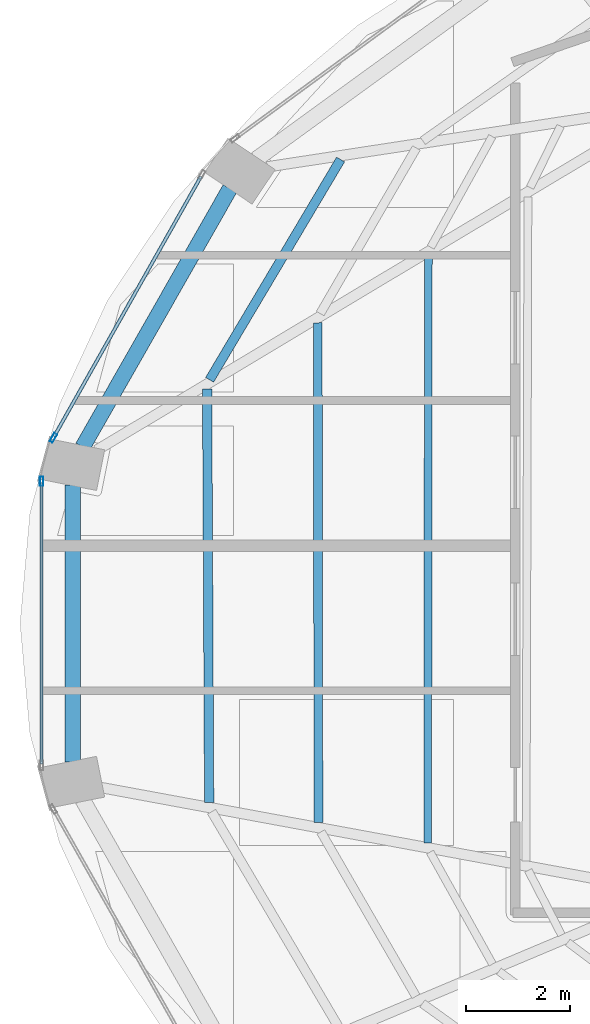
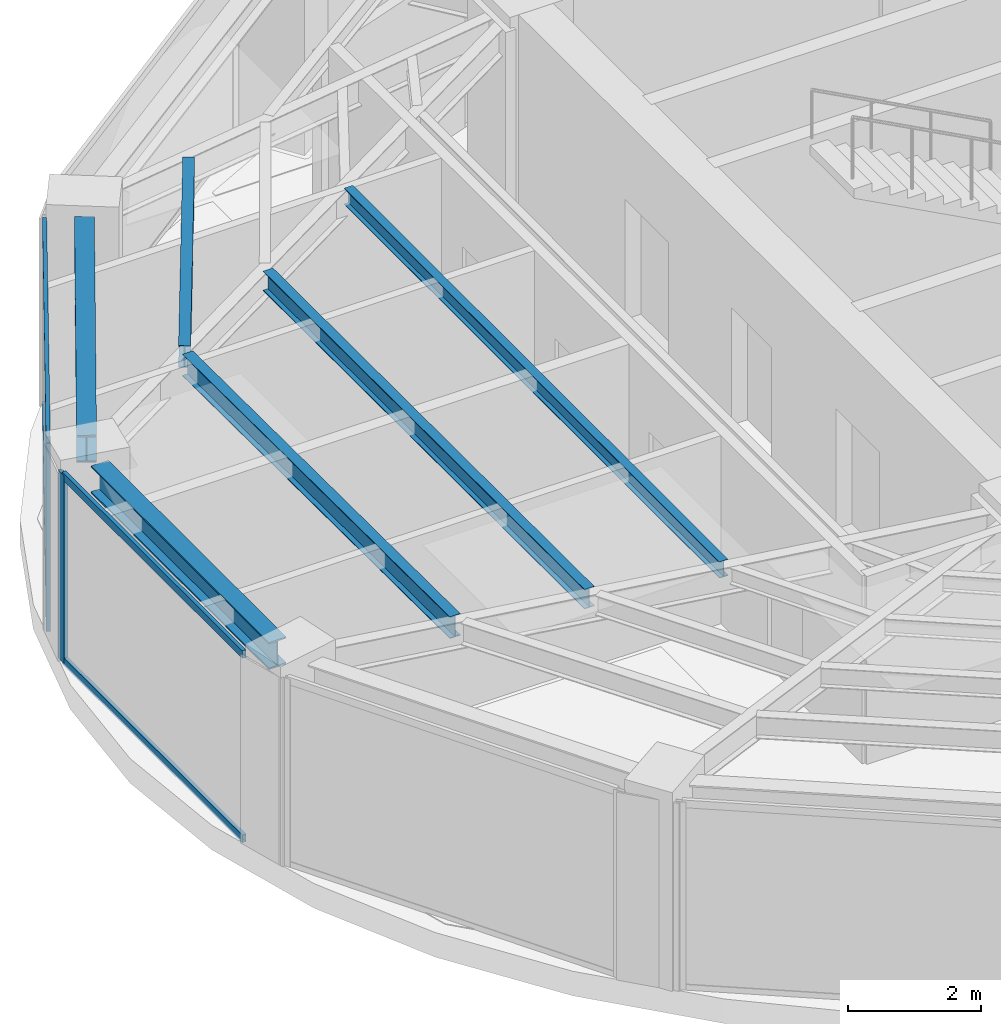
# One storey, part 8 of 23: 6 beams, 6 members, 2 elements without a shape of their own.
"""IFC4 building model written with IfcOpenShell, lengths in metres."""

from ifc_helpers import new_model, si_unit, direction, frame, origin, origin_2d, place, context, subcontext, project, spatial, hollow_rectangle, i_section, extrude, material, layer, layer_set, material_profile, profile_set, type_object, element, aggregate, save


model = new_model("IFC4")

# Units and contexts
model_context = context("Model", 3, precision=1e-05, world=origin(), true_north=direction((0.0, 1.0)))
body_context = subcontext(model_context, "Body", "Model", "MODEL_VIEW")
ifc_project = project(units=[si_unit("LENGTHUNIT", "METRE"), si_unit("AREAUNIT", "SQUARE_METRE"), si_unit("VOLUMEUNIT", "CUBIC_METRE"), si_unit("PLANEANGLEUNIT", "RADIAN"), si_unit("MASSUNIT", "GRAM", prefix="KILO")], contexts=[model_context])

# Site, building, storey
site_placement = place(None, origin())
site = spatial("IfcSite", under=ifc_project, at=site_placement, CompositionType="ELEMENT")
building_placement = place(site_placement, origin())
building = spatial("IfcBuilding", under=site, at=building_placement, Name="Lazwardi Medical Tower", CompositionType="ELEMENT")
storey_placement = place(building_placement, frame((0.0, 0.0, 194.83203125)))
storey = spatial("IfcBuildingStorey", under=building, at=storey_placement, Name="L50", CompositionType="ELEMENT", Elevation=194.83203125)

# Beams
ifc_material_1 = material(Name="Steel S355", Category="steel")
ifc_material_profile_1 = material_profile(ifc_material_1, i_section(OverallWidth=0.300048828125, OverallDepth=0.5, WebThickness=0.014404296875, FlangeThickness=0.028076171875, at=origin_2d()), Name="HEB 500")
ifc_profile_set_1 = profile_set([ifc_material_profile_1], Name="Steel S355")
beam_type_1 = type_object("IfcBeamType", Name="BM-RB-Z4", PredefinedType="BEAM", material=ifc_profile_set_1)
beam_1_placement = place(storey_placement, frame((17.84716796875, 33.983642578125, 3.197998046875), z_axis=(-0.495125273299, -0.868821594886, 0.0), x_axis=(0.868821594886, -0.495125273299, 0.0)))
element("IfcBeam", 1, at=beam_1_placement, inside=storey, type_object=beam_type_1, Name="Ring beam RB-05 B11 L50", PredefinedType="BEAM", context=body_context, shape_type="SweptSolid", body=[
    extrude(i_section(OverallWidth=0.300048828125, OverallDepth=0.5, WebThickness=0.014404296875, FlangeThickness=0.028076171875, at=origin_2d()), origin(), (0.0, 0.0, 1.0), 5.734130859375),
])
beam_2_placement = place(storey_placement, frame((14.81494140625, 28.27294921875, 3.197998046875), z_axis=(0.0, -1.0, 0.0), x_axis=(1.0, 0.0, 0.0)))
element("IfcBeam", 2, at=beam_2_placement, inside=storey, type_object=beam_type_1, Name="Ring beam RB-05 B12 L50", PredefinedType="BEAM", context=body_context, shape_type="SweptSolid", body=[
    extrude(i_section(OverallWidth=0.300048828125, OverallDepth=0.5, WebThickness=0.014404296875, FlangeThickness=0.028076171875, at=origin_2d()), origin(), (0.0, 0.0, 1.0), 5.345947265625),
])
ifc_material_profile_2 = material_profile(ifc_material_1, i_section(OverallWidth=0.179931640625, OverallDepth=0.39990234375, WebThickness=0.008544921875, FlangeThickness=0.013427734375, at=origin_2d()), Name="IPE 400")
ifc_profile_set_2 = profile_set([ifc_material_profile_2], Name="Steel S355")
beam_type_2 = type_object("IfcBeamType", Name="BM-SJ-01", PredefinedType="JOIST", material=ifc_profile_set_2)
beam_3_placement = place(storey_placement, frame((19.98095703125, 34.544921875, 3.248046875), z_axis=(-0.510967866251, -0.859599813668, 0.0), x_axis=(0.859599813668, -0.510967866251, 0.0)))
element("IfcBeam", 3, at=beam_3_placement, inside=storey, type_object=beam_type_2, Name="Secondary joist SJ-01 R1 B11 L50", PredefinedType="JOIST", context=body_context, shape_type="SweptSolid", body=[
    extrude(i_section(OverallWidth=0.179931640625, OverallDepth=0.39990234375, WebThickness=0.008544921875, FlangeThickness=0.013427734375, at=origin_2d()), origin(), (0.0, 0.0, 1.0), 4.94189453125),
])
beam_4_placement = place(storey_placement, frame((17.407958984375, 30.120361328125, 3.248046875), z_axis=(0.004929366644, -0.999987850598, 0.0), x_axis=(0.999987850598, 0.004929366644, 0.0)))
element("IfcBeam", 4, at=beam_4_placement, inside=storey, type_object=beam_type_2, Name="Secondary joist SJ-01 R1 B12 L50", PredefinedType="JOIST", context=body_context, shape_type="SweptSolid", body=[
    extrude(i_section(OverallWidth=0.179931640625, OverallDepth=0.39990234375, WebThickness=0.008544921875, FlangeThickness=0.013427734375, at=origin_2d()), origin(), (0.0, 0.0, 1.0), 7.973876953125),
])
ifc_material_profile_3 = material_profile(ifc_material_1, i_section(OverallWidth=0.169921875, OverallDepth=0.360107421875, WebThickness=0.008056640625, FlangeThickness=0.0126953125, at=origin_2d()), Name="IPE 360")
ifc_profile_set_3 = profile_set([ifc_material_profile_3], Name="Steel S355")
beam_type_3 = type_object("IfcBeamType", Name="BM-SJ-02", PredefinedType="JOIST", material=ifc_profile_set_3)
beam_5_placement = place(storey_placement, frame((19.541015625, 31.397705078125, 3.26806640625), z_axis=(0.001367606673, -0.999999064826, 0.0), x_axis=(0.999999064826, 0.001367606673, 0.0)))
element("IfcBeam", 5, at=beam_5_placement, inside=storey, type_object=beam_type_3, Name="Secondary joist SJ-02 R2 B12 L50", PredefinedType="JOIST", context=body_context, shape_type="SweptSolid", body=[
    extrude(i_section(OverallWidth=0.169921875, OverallDepth=0.360107421875, WebThickness=0.008056640625, FlangeThickness=0.0126953125, at=origin_2d()), origin(), (0.0, 0.0, 1.0), 9.639892578125),
])
ifc_material_profile_4 = material_profile(ifc_material_1, i_section(OverallWidth=0.14990234375, OverallDepth=0.300048828125, WebThickness=0.007080078125, FlangeThickness=0.0107421875, at=origin_2d()), Name="IPE 300")
ifc_profile_set_4 = profile_set([ifc_material_profile_4], Name="Steel S355")
beam_type_4 = type_object("IfcBeamType", Name="BM-SJ-03", PredefinedType="JOIST", material=ifc_profile_set_4)
beam_6_placement = place(storey_placement, frame((21.674072265625, 32.67529296875, 3.2978515625), z_axis=(-0.001166079235, -0.999999320129, 0.0), x_axis=(0.999999320129, -0.001166079235, 0.0)))
element("IfcBeam", 6, at=beam_6_placement, inside=storey, type_object=beam_type_4, Name="Secondary joist SJ-03 R3 B12 L50", PredefinedType="JOIST", context=body_context, shape_type="SweptSolid", body=[
    extrude(i_section(OverallWidth=0.14990234375, OverallDepth=0.300048828125, WebThickness=0.007080078125, FlangeThickness=0.0107421875, at=origin_2d()), origin(), (0.0, 0.0, 1.0), 11.305908203125),
])

# Curtain wall, member
ifc_material_2 = material(Name="Anodised bronze aluminium and solar control glazing", Category="aluminium")
ifc_layer = layer(ifc_material_2, 0.18994140625)
ifc_layer_set = layer_set([ifc_layer], Name="Anodised bronze aluminium and solar control glazing")
curtain_wall_type = type_object("IfcCurtainWallType", Name="CW-SYS-04", PredefinedType="NOTDEFINED", material=ifc_layer_set)
curtain_wall_1_placement = place(storey_placement, origin())
curtain_wall_1 = element("IfcCurtainWall", 7, at=curtain_wall_1_placement, inside=storey, type_object=curtain_wall_type, Name="L50 Unitised bronze curtain wall CW-04", PredefinedType="NOTDEFINED")
ifc_material_3 = material(Name="Anodised bronze aluminium", Category="aluminium")
ifc_material_profile_5 = material_profile(ifc_material_3, hollow_rectangle(XDim=0.06494140625, YDim=0.179931640625, WallThickness=0.00390625, at=origin_2d()), Name="ALU-MULLION 180x65x4")
ifc_profile_set_5 = profile_set([ifc_material_profile_5], Name="Anodised bronze aluminium")
member_type_1 = type_object("IfcMemberType", Name="CW-MUL-03", PredefinedType="MULLION", material=ifc_profile_set_5)
member_1_placement = place(storey_placement, frame((14.442626953125, 29.17822265625, 0.0), z_axis=(0.0, 0.0, 1.0), x_axis=(0.870651436011, -0.491900474661, 0.0)))
member_1 = element("IfcMember", 8, at=member_1_placement, type_object=member_type_1, Name="CW-04 mullion 2", PredefinedType="MULLION", context=body_context, shape_type="SweptSolid", body=[
    extrude(hollow_rectangle(XDim=0.06494140625, YDim=0.179931640625, WallThickness=0.00390625, at=origin_2d()), origin(), (0.0, 0.0, 1.0), 3.447998046875),
])

curtain_wall_2_placement = place(storey_placement, origin())
curtain_wall_2 = element("IfcCurtainWall", 9, at=curtain_wall_2_placement, inside=storey, type_object=curtain_wall_type, Name="L50 Unitised bronze curtain wall CW-04", PredefinedType="NOTDEFINED")
member_2_placement = place(storey_placement, frame((14.2158203125, 28.340576171875, 0.0), z_axis=(0.0, 0.0, 1.0), x_axis=(1.0, 0.0, 0.0)))
member_2 = element("IfcMember", 10, at=member_2_placement, type_object=member_type_1, Name="CW-04 mullion 1", PredefinedType="MULLION", context=body_context, shape_type="SweptSolid", body=[
    extrude(hollow_rectangle(XDim=0.06494140625, YDim=0.179931640625, WallThickness=0.00390625, at=origin_2d()), origin(), (0.0, 0.0, 1.0), 3.447998046875),
])

# Member
ifc_material_profile_6 = material_profile(ifc_material_3, hollow_rectangle(XDim=0.06494140625, YDim=0.139892578125, WallThickness=0.00341796875, at=origin_2d()), Name="ALU-TRANSOM 140x65x3.5")
ifc_profile_set_6 = profile_set([ifc_material_profile_6], Name="Anodised bronze aluminium")
member_type_2 = type_object("IfcMemberType", Name="CW-TRN-03", PredefinedType="USERDEFINED", material=ifc_profile_set_6)
member_3_placement = place(storey_placement, frame((17.28955078125, 34.21728515625, 0.032470703125), z_axis=(-0.491879719484, -0.87066316194, 0.0), x_axis=(0.87066316194, -0.491879719484, 0.0)))
member_3 = element("IfcMember", 11, at=member_3_placement, type_object=member_type_2, Name="CW-04 transom 1.1", ObjectType="TRANSOM", PredefinedType="USERDEFINED", context=body_context, shape_type="SweptSolid", body=[
    extrude(hollow_rectangle(XDim=0.06494140625, YDim=0.139892578125, WallThickness=0.00341796875, at=origin_2d()), origin(), (0.0, 0.0, 1.0), 5.755126953125),
])

member_4_placement = place(storey_placement, frame((17.28955078125, 34.21728515625, 3.41552734375), z_axis=(-0.491879719484, -0.87066316194, 0.0), x_axis=(0.87066316194, -0.491879719484, 0.0)))
member_4 = element("IfcMember", 12, at=member_4_placement, type_object=member_type_2, Name="CW-04 transom 1.2", ObjectType="TRANSOM", PredefinedType="USERDEFINED", context=body_context, shape_type="SweptSolid", body=[
    extrude(hollow_rectangle(XDim=0.06494140625, YDim=0.139892578125, WallThickness=0.00341796875, at=origin_2d()), origin(), (0.0, 0.0, 1.0), 5.755126953125),
])

aggregate(curtain_wall_1, [member_1, member_3, member_4])

member_5_placement = place(storey_placement, frame((14.2158203125, 28.30810546875, 0.032470703125), z_axis=(0.0, -1.0, 0.0), x_axis=(1.0, 0.0, 0.0)))
member_5 = element("IfcMember", 13, at=member_5_placement, type_object=member_type_2, Name="CW-04 transom 1.1", ObjectType="TRANSOM", PredefinedType="USERDEFINED", context=body_context, shape_type="SweptSolid", body=[
    extrude(hollow_rectangle(XDim=0.06494140625, YDim=0.139892578125, WallThickness=0.00341796875, at=origin_2d()), origin(), (0.0, 0.0, 1.0), 5.416015625),
])

member_6_placement = place(storey_placement, frame((14.2158203125, 28.30810546875, 3.41552734375), z_axis=(0.0, -1.0, 0.0), x_axis=(1.0, 0.0, 0.0)))
member_6 = element("IfcMember", 14, at=member_6_placement, type_object=member_type_2, Name="CW-04 transom 1.2", ObjectType="TRANSOM", PredefinedType="USERDEFINED", context=body_context, shape_type="SweptSolid", body=[
    extrude(hollow_rectangle(XDim=0.06494140625, YDim=0.139892578125, WallThickness=0.00341796875, at=origin_2d()), origin(), (0.0, 0.0, 1.0), 5.416015625),
])

aggregate(curtain_wall_2, [member_2, member_5, member_6])

save(model, "model.ifc")
